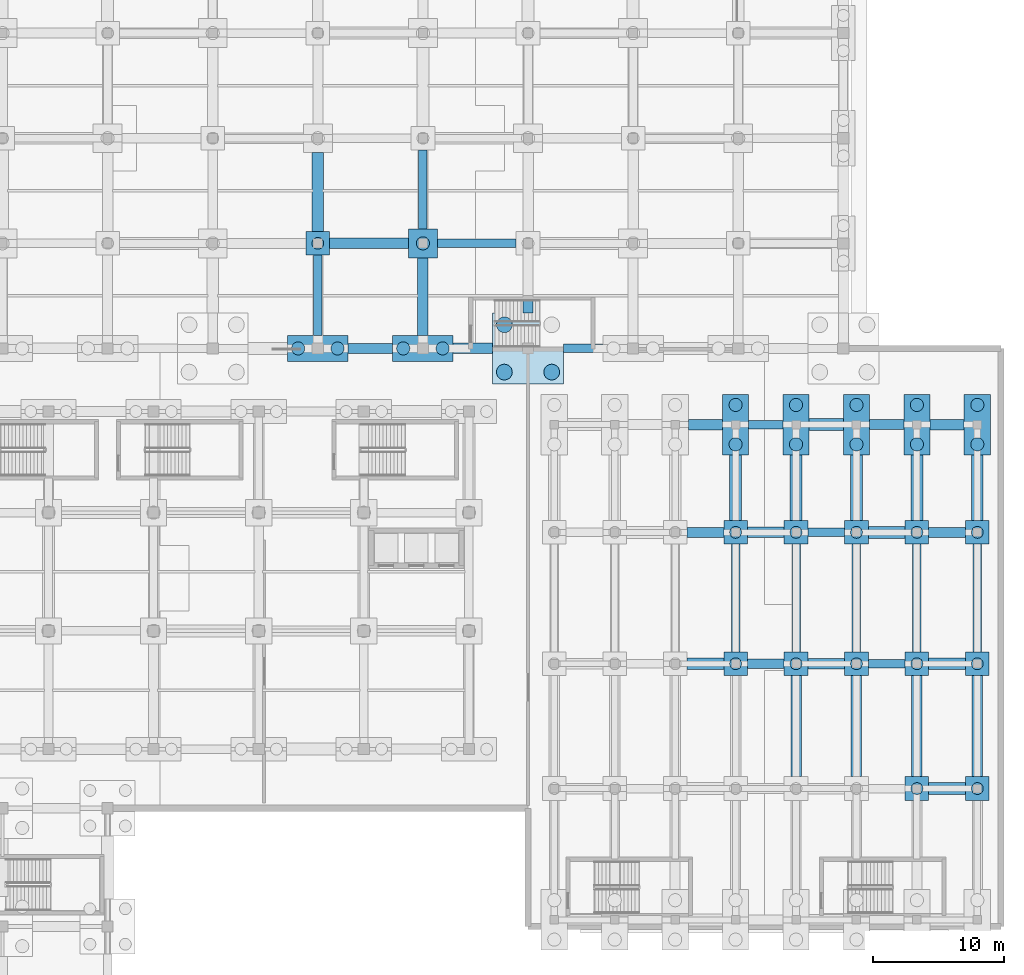
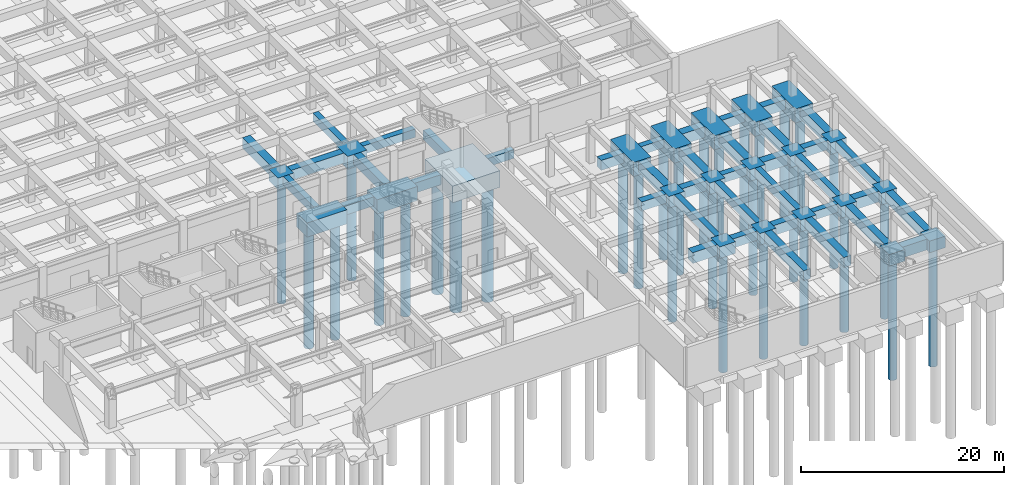
# One storey, part 13 of 48: 62 footings, 31 piles.
"""IFC4 building model written with IfcOpenShell, lengths in metres."""

from ifc_helpers import new_model, si_unit, direction, frame, origin, origin_2d, place, context, subcontext, project, spatial, polyline, rectangle, circle, outline, extrude, material, layer, layer_set, material_profile, profile_set, type_object, element, save


model = new_model("IFC4")

# Units and contexts
model_context = context("Model", 3, precision=1e-05, world=origin(), true_north=direction((0.0, 1.0)))
body_context = subcontext(model_context, "Body", "Model", "MODEL_VIEW")
ifc_project = project(units=[si_unit("LENGTHUNIT", "METRE"), si_unit("AREAUNIT", "SQUARE_METRE"), si_unit("VOLUMEUNIT", "CUBIC_METRE"), si_unit("PLANEANGLEUNIT", "RADIAN"), si_unit("MASSUNIT", "GRAM", prefix="KILO")], contexts=[model_context])

# Site, building, storey
site_placement = place(None, origin())
site = spatial("IfcSite", under=ifc_project, at=site_placement, CompositionType="ELEMENT")
building_placement = place(site_placement, origin())
building = spatial("IfcBuilding", under=site, at=building_placement, Name="Tlacozan Convention Centre", CompositionType="ELEMENT")
storey_placement = place(building_placement, frame((0.0, 0.0, -4.800048828125)))
storey = spatial("IfcBuildingStorey", under=building, at=storey_placement, Name="B01", CompositionType="ELEMENT", Elevation=-4.800048828125)

# Footings
ifc_material = material(Name="Concrete C35/45", Category="concrete")
ifc_layer_1 = layer(ifc_material, 1.0)
ifc_layer_set_1 = layer_set([ifc_layer_1], Name="Concrete C35/45")
footing_type_1 = type_object("IfcFootingType", Name="Foundation Tie Beam 650x1000", PredefinedType="FOOTING_BEAM", material=ifc_layer_set_1)
footing_1_placement = place(storey_placement, frame((0.0, 0.0, -1.0)))
element("IfcFooting", 1, at=footing_1_placement, inside=storey, type_object=footing_type_1, Name="Foundation Tie Beam X-81", PredefinedType="FOOTING_BEAM", context=body_context, shape_type="SweptSolid", body=[
    extrude(outline(polyline([(169.89990234375, 37.675048828125), (172.699951171875, 37.675048828125), (172.699951171875, 38.324951171875), (169.89990234375, 38.324951171875), (169.89990234375, 37.675048828125)])), origin(), (0.0, 0.0, 1.0), 1.0),
])
footing_2_placement = place(storey_placement, frame((0.0, 0.0, -1.0)))
element("IfcFooting", 2, at=footing_2_placement, inside=storey, type_object=footing_type_1, Name="Foundation Tie Beam X-97", PredefinedType="FOOTING_BEAM", context=body_context, shape_type="SweptSolid", body=[
    extrude(outline(polyline([(165.300048828125, 47.675048828125), (168.10009765625, 47.675048828125), (168.10009765625, 48.324951171875), (165.300048828125, 48.324951171875), (165.300048828125, 47.675048828125)])), origin(), (0.0, 0.0, 1.0), 1.0),
])
footing_3_placement = place(storey_placement, frame((0.0, 0.0, -1.0)))
element("IfcFooting", 3, at=footing_3_placement, inside=storey, type_object=footing_type_1, Name="Foundation Tie Beam X-113", PredefinedType="FOOTING_BEAM", context=body_context, shape_type="SweptSolid", body=[
    extrude(outline(polyline([(160.800048828125, 55.875), (163.39990234375, 55.875), (163.39990234375, 56.52490234375), (160.800048828125, 56.52490234375), (160.800048828125, 55.875)])), origin(), (0.0, 0.0, 1.0), 1.0),
])
footing_4_placement = place(storey_placement, frame((0.0, 0.0, -1.0)))
element("IfcFooting", 4, at=footing_4_placement, inside=storey, type_object=footing_type_1, Name="Foundation Tie Beam X-145", PredefinedType="FOOTING_BEAM", context=body_context, shape_type="SweptSolid", body=[
    extrude(outline(polyline([(146.699951171875, 61.675048828125), (149.699951171875, 61.675048828125), (149.699951171875, 62.324951171875), (146.699951171875, 62.324951171875), (146.699951171875, 61.675048828125)])), origin(), (0.0, 0.0, 1.0), 1.0),
])
footing_5_placement = place(storey_placement, frame((0.0, 0.0, -1.0)))
element("IfcFooting", 5, at=footing_5_placement, inside=storey, type_object=footing_type_1, Name="Foundation Tie Beam X-165", PredefinedType="FOOTING_BEAM", context=body_context, shape_type="SweptSolid", body=[
    extrude(outline(polyline([(137.10009765625, 69.675048828125), (143.10009765625, 69.675048828125), (143.10009765625, 70.324951171875), (137.10009765625, 70.324951171875), (137.10009765625, 69.675048828125)])), origin(), (0.0, 0.0, 1.0), 1.0),
])
footing_6_placement = place(storey_placement, frame((0.0, 0.0, -1.0)))
element("IfcFooting", 6, at=footing_6_placement, inside=storey, type_object=footing_type_1, Name="Foundation Tie Beam Y-517", PredefinedType="FOOTING_BEAM", context=body_context, shape_type="SweptSolid", body=[
    extrude(outline(polyline([(127.675048828125, 63.0), (128.324951171875, 63.0), (128.324951171875, 69.10009765625), (127.675048828125, 69.10009765625), (127.675048828125, 63.0)])), origin(), (0.0, 0.0, 1.0), 1.0),
])
footing_7_placement = place(storey_placement, frame((0.0, 0.0, -1.0)))
element("IfcFooting", 7, at=footing_7_placement, inside=storey, type_object=footing_type_1, Name="Foundation Tie Beam Y-529", PredefinedType="FOOTING_BEAM", context=body_context, shape_type="SweptSolid", body=[
    extrude(outline(polyline([(135.675048828125, 71.10009765625), (136.324951171875, 71.10009765625), (136.324951171875, 77.10009765625), (135.675048828125, 77.10009765625), (135.675048828125, 71.10009765625)])), origin(), (0.0, 0.0, 1.0), 1.0),
])
footing_8_placement = place(storey_placement, frame((0.0, 0.0, -1.0)))
element("IfcFooting", 8, at=footing_8_placement, inside=storey, type_object=footing_type_1, Name="Foundation Tie Beam Y-569", PredefinedType="FOOTING_BEAM", context=body_context, shape_type="SweptSolid", body=[
    extrude(outline(polyline([(159.47509765625, 38.89990234375), (160.125, 38.89990234375), (160.125, 47.10009765625), (159.47509765625, 47.10009765625), (159.47509765625, 38.89990234375)])), origin(), (0.0, 0.0, 1.0), 1.0),
])
footing_9_placement = place(storey_placement, frame((0.0, 0.0, -1.0)))
element("IfcFooting", 9, at=footing_9_placement, inside=storey, type_object=footing_type_1, Name="Foundation Tie Beam Y-581", PredefinedType="FOOTING_BEAM", context=body_context, shape_type="SweptSolid", body=[
    extrude(outline(polyline([(164.074951171875, 38.89990234375), (164.72509765625, 38.89990234375), (164.72509765625, 47.10009765625), (164.074951171875, 47.10009765625), (164.074951171875, 38.89990234375)])), origin(), (0.0, 0.0, 1.0), 1.0),
])
footing_10_placement = place(storey_placement, frame((0.0, 0.0, -1.0)))
element("IfcFooting", 10, at=footing_10_placement, inside=storey, type_object=footing_type_1, Name="Foundation Tie Beam Y-593", PredefinedType="FOOTING_BEAM", context=body_context, shape_type="SweptSolid", body=[
    extrude(outline(polyline([(168.675048828125, 38.89990234375), (169.324951171875, 38.89990234375), (169.324951171875, 47.10009765625), (168.675048828125, 47.10009765625), (168.675048828125, 38.89990234375)])), origin(), (0.0, 0.0, 1.0), 1.0),
])
footing_11_placement = place(storey_placement, frame((0.0, 0.0, -1.0)))
element("IfcFooting", 11, at=footing_11_placement, inside=storey, type_object=footing_type_1, Name="Foundation Tie Beam Y-597", PredefinedType="FOOTING_BEAM", context=body_context, shape_type="SweptSolid", body=[
    extrude(outline(polyline([(173.27490234375, 38.89990234375), (173.925048828125, 38.89990234375), (173.925048828125, 47.10009765625), (173.27490234375, 47.10009765625), (173.27490234375, 38.89990234375)])), origin(), (0.0, 0.0, 1.0), 1.0),
])
footing_12_placement = place(storey_placement, frame((0.0, 0.0, -1.0)))
element("IfcFooting", 12, at=footing_12_placement, inside=storey, type_object=footing_type_1, Name="Foundation Tie Beam Y-601", PredefinedType="FOOTING_BEAM", context=body_context, shape_type="SweptSolid", body=[
    extrude(outline(polyline([(177.875, 38.89990234375), (178.52490234375, 38.89990234375), (178.52490234375, 47.10009765625), (177.875, 47.10009765625), (177.875, 38.89990234375)])), origin(), (0.0, 0.0, 1.0), 1.0),
])
ifc_layer_2 = layer(ifc_material, 1.10009765625)
ifc_layer_set_2 = layer_set([ifc_layer_2], Name="Concrete C35/45")
footing_type_2 = type_object("IfcFootingType", Name="Foundation Tie Beam 750x1100", PredefinedType="FOOTING_BEAM", material=ifc_layer_set_2)
footing_13_placement = place(storey_placement, frame((0.0, 0.0, -1.099853515625)))
element("IfcFooting", 13, at=footing_13_placement, inside=storey, type_object=footing_type_2, Name="Foundation Tie Beam X-79", PredefinedType="FOOTING_BEAM", context=body_context, shape_type="SweptSolid", body=[
    extrude(outline(polyline([(160.699951171875, 37.625), (163.5, 37.625), (163.5, 38.375), (160.699951171875, 38.375), (160.699951171875, 37.625)])), origin(), (0.0, 0.0, 1.0), 1.099853515625),
])
footing_14_placement = place(storey_placement, frame((0.0, 0.0, -1.099853515625)))
element("IfcFooting", 14, at=footing_14_placement, inside=storey, type_object=footing_type_2, Name="Foundation Tie Beam X-95", PredefinedType="FOOTING_BEAM", context=body_context, shape_type="SweptSolid", body=[
    extrude(outline(polyline([(156.10009765625, 47.625), (158.89990234375, 47.625), (158.89990234375, 48.375), (156.10009765625, 48.375), (156.10009765625, 47.625)])), origin(), (0.0, 0.0, 1.0), 1.099853515625),
])
footing_15_placement = place(storey_placement, frame((0.0, 0.0, -1.099853515625)))
element("IfcFooting", 15, at=footing_15_placement, inside=storey, type_object=footing_type_2, Name="Foundation Tie Beam X-99", PredefinedType="FOOTING_BEAM", context=body_context, shape_type="SweptSolid", body=[
    extrude(outline(polyline([(174.5, 47.625), (177.300048828125, 47.625), (177.300048828125, 48.375), (174.5, 48.375), (174.5, 47.625)])), origin(), (0.0, 0.0, 1.0), 1.099853515625),
])
footing_16_placement = place(storey_placement, frame((0.0, 0.0, -1.099853515625)))
element("IfcFooting", 16, at=footing_16_placement, inside=storey, type_object=footing_type_2, Name="Foundation Tie Beam X-115", PredefinedType="FOOTING_BEAM", context=body_context, shape_type="SweptSolid", body=[
    extrude(outline(polyline([(170.0, 55.824951171875), (172.60009765625, 55.824951171875), (172.60009765625, 56.574951171875), (170.0, 56.574951171875), (170.0, 55.824951171875)])), origin(), (0.0, 0.0, 1.0), 1.099853515625),
])
footing_17_placement = place(storey_placement, frame((0.0, 0.0, -1.099853515625)))
element("IfcFooting", 17, at=footing_17_placement, inside=storey, type_object=footing_type_2, Name="Foundation Tie Beam X-143", PredefinedType="FOOTING_BEAM", context=body_context, shape_type="SweptSolid", body=[
    extrude(outline(polyline([(130.300048828125, 61.625), (133.699951171875, 61.625), (133.699951171875, 62.375), (130.300048828125, 62.375), (130.300048828125, 61.625)])), origin(), (0.0, 0.0, 1.0), 1.099853515625),
])
footing_18_placement = place(storey_placement, frame((0.0, 0.0, -1.099853515625)))
element("IfcFooting", 18, at=footing_18_placement, inside=storey, type_object=footing_type_2, Name="Foundation Tie Beam Y-539", PredefinedType="FOOTING_BEAM", context=body_context, shape_type="SweptSolid", body=[
    extrude(outline(polyline([(143.625, 64.699951171875), (144.375, 64.699951171875), (144.375, 69.10009765625), (143.625, 69.10009765625), (143.625, 64.699951171875)])), origin(), (0.0, 0.0, 1.0), 1.099853515625),
])
ifc_layer_3 = layer(ifc_material, 1.199951171875)
ifc_layer_set_3 = layer_set([ifc_layer_3], Name="Concrete C35/45")
footing_type_3 = type_object("IfcFootingType", Name="Foundation Tie Beam 800x1200", PredefinedType="FOOTING_BEAM", material=ifc_layer_set_3)
footing_19_placement = place(storey_placement, frame((0.0, 0.0, -1.199951171875)))
element("IfcFooting", 19, at=footing_19_placement, inside=storey, type_object=footing_type_3, Name="Foundation Tie Beam X-80", PredefinedType="FOOTING_BEAM", context=body_context, shape_type="SweptSolid", body=[
    extrude(outline(polyline([(165.300048828125, 37.60009765625), (168.10009765625, 37.60009765625), (168.10009765625, 38.39990234375), (165.300048828125, 38.39990234375), (165.300048828125, 37.60009765625)])), origin(), (0.0, 0.0, 1.0), 1.199951171875),
])
footing_20_placement = place(storey_placement, frame((0.0, 0.0, -1.199951171875)))
element("IfcFooting", 20, at=footing_20_placement, inside=storey, type_object=footing_type_3, Name="Foundation Tie Beam X-96", PredefinedType="FOOTING_BEAM", context=body_context, shape_type="SweptSolid", body=[
    extrude(outline(polyline([(160.699951171875, 47.60009765625), (163.5, 47.60009765625), (163.5, 48.39990234375), (160.699951171875, 48.39990234375), (160.699951171875, 47.60009765625)])), origin(), (0.0, 0.0, 1.0), 1.199951171875),
])
footing_21_placement = place(storey_placement, frame((0.0, 0.0, -1.199951171875)))
element("IfcFooting", 21, at=footing_21_placement, inside=storey, type_object=footing_type_3, Name="Foundation Tie Beam X-112", PredefinedType="FOOTING_BEAM", context=body_context, shape_type="SweptSolid", body=[
    extrude(outline(polyline([(156.199951171875, 55.800048828125), (158.800048828125, 55.800048828125), (158.800048828125, 56.60009765625), (156.199951171875, 56.60009765625), (156.199951171875, 55.800048828125)])), origin(), (0.0, 0.0, 1.0), 1.199951171875),
])
footing_22_placement = place(storey_placement, frame((0.0, 0.0, -1.199951171875)))
element("IfcFooting", 22, at=footing_22_placement, inside=storey, type_object=footing_type_3, Name="Foundation Tie Beam X-116", PredefinedType="FOOTING_BEAM", context=body_context, shape_type="SweptSolid", body=[
    extrude(outline(polyline([(174.60009765625, 55.800048828125), (177.199951171875, 55.800048828125), (177.199951171875, 56.60009765625), (174.60009765625, 56.60009765625), (174.60009765625, 55.800048828125)])), origin(), (0.0, 0.0, 1.0), 1.199951171875),
])
footing_23_placement = place(storey_placement, frame((0.0, 0.0, -1.199951171875)))
element("IfcFooting", 23, at=footing_23_placement, inside=storey, type_object=footing_type_3, Name="Foundation Tie Beam X-144", PredefinedType="FOOTING_BEAM", context=body_context, shape_type="SweptSolid", body=[
    extrude(outline(polyline([(138.300048828125, 61.60009765625), (141.300048828125, 61.60009765625), (141.300048828125, 62.39990234375), (138.300048828125, 62.39990234375), (138.300048828125, 61.60009765625)])), origin(), (0.0, 0.0, 1.0), 1.199951171875),
])
footing_24_placement = place(storey_placement, frame((0.0, 0.0, -1.199951171875)))
element("IfcFooting", 24, at=footing_24_placement, inside=storey, type_object=footing_type_3, Name="Foundation Tie Beam X-164", PredefinedType="FOOTING_BEAM", context=body_context, shape_type="SweptSolid", body=[
    extrude(outline(polyline([(128.89990234375, 69.60009765625), (134.89990234375, 69.60009765625), (134.89990234375, 70.39990234375), (128.89990234375, 70.39990234375), (128.89990234375, 69.60009765625)])), origin(), (0.0, 0.0, 1.0), 1.199951171875),
])
footing_25_placement = place(storey_placement, frame((0.0, 0.0, -1.199951171875)))
element("IfcFooting", 25, at=footing_25_placement, inside=storey, type_object=footing_type_3, Name="Foundation Tie Beam Y-528", PredefinedType="FOOTING_BEAM", context=body_context, shape_type="SweptSolid", body=[
    extrude(outline(polyline([(135.60009765625, 63.0), (136.39990234375, 63.0), (136.39990234375, 68.89990234375), (135.60009765625, 68.89990234375), (135.60009765625, 63.0)])), origin(), (0.0, 0.0, 1.0), 1.199951171875),
])
footing_26_placement = place(storey_placement, frame((0.0, 0.0, -1.199951171875)))
element("IfcFooting", 26, at=footing_26_placement, inside=storey, type_object=footing_type_3, Name="Foundation Tie Beam Y-580", PredefinedType="FOOTING_BEAM", context=body_context, shape_type="SweptSolid", body=[
    extrude(outline(polyline([(164.0, 29.39990234375), (164.800048828125, 29.39990234375), (164.800048828125, 37.10009765625), (164.0, 37.10009765625), (164.0, 29.39990234375)])), origin(), (0.0, 0.0, 1.0), 1.199951171875),
])
footing_27_placement = place(storey_placement, frame((0.0, 0.0, -1.199951171875)))
element("IfcFooting", 27, at=footing_27_placement, inside=storey, type_object=footing_type_3, Name="Foundation Tie Beam Y-592", PredefinedType="FOOTING_BEAM", context=body_context, shape_type="SweptSolid", body=[
    extrude(outline(polyline([(168.60009765625, 29.39990234375), (169.39990234375, 29.39990234375), (169.39990234375, 37.10009765625), (168.60009765625, 37.10009765625), (168.60009765625, 29.39990234375)])), origin(), (0.0, 0.0, 1.0), 1.199951171875),
])
footing_28_placement = place(storey_placement, frame((0.0, 0.0, -1.199951171875)))
element("IfcFooting", 28, at=footing_28_placement, inside=storey, type_object=footing_type_3, Name="Foundation Tie Beam Y-596", PredefinedType="FOOTING_BEAM", context=body_context, shape_type="SweptSolid", body=[
    extrude(outline(polyline([(173.199951171875, 29.39990234375), (174.0, 29.39990234375), (174.0, 37.10009765625), (173.199951171875, 37.10009765625), (173.199951171875, 29.39990234375)])), origin(), (0.0, 0.0, 1.0), 1.199951171875),
])
footing_29_placement = place(storey_placement, frame((0.0, 0.0, -1.199951171875)))
element("IfcFooting", 29, at=footing_29_placement, inside=storey, type_object=footing_type_3, Name="Foundation Tie Beam Y-600", PredefinedType="FOOTING_BEAM", context=body_context, shape_type="SweptSolid", body=[
    extrude(outline(polyline([(177.800048828125, 29.39990234375), (178.60009765625, 29.39990234375), (178.60009765625, 37.10009765625), (177.800048828125, 37.10009765625), (177.800048828125, 29.39990234375)])), origin(), (0.0, 0.0, 1.0), 1.199951171875),
])
ifc_layer_4 = layer(ifc_material, 1.300048828125)
ifc_layer_set_4 = layer_set([ifc_layer_4], Name="Concrete C35/45")
footing_type_4 = type_object("IfcFootingType", Name="Foundation Tie Beam 900x1300", PredefinedType="FOOTING_BEAM", material=ifc_layer_set_4)
footing_30_placement = place(storey_placement, frame((0.0, 0.0, -1.300048828125)))
element("IfcFooting", 30, at=footing_30_placement, inside=storey, type_object=footing_type_4, Name="Foundation Tie Beam X-66", PredefinedType="FOOTING_BEAM", context=body_context, shape_type="SweptSolid", body=[
    extrude(outline(polyline([(174.5, 28.050048828125), (177.300048828125, 28.050048828125), (177.300048828125, 28.949951171875), (174.5, 28.949951171875), (174.5, 28.050048828125)])), origin(), (0.0, 0.0, 1.0), 1.300048828125),
])
footing_31_placement = place(storey_placement, frame((0.0, 0.0, -1.300048828125)))
element("IfcFooting", 31, at=footing_31_placement, inside=storey, type_object=footing_type_4, Name="Foundation Tie Beam X-78", PredefinedType="FOOTING_BEAM", context=body_context, shape_type="SweptSolid", body=[
    extrude(outline(polyline([(156.10009765625, 37.550048828125), (158.89990234375, 37.550048828125), (158.89990234375, 38.449951171875), (156.10009765625, 38.449951171875), (156.10009765625, 37.550048828125)])), origin(), (0.0, 0.0, 1.0), 1.300048828125),
])
footing_32_placement = place(storey_placement, frame((0.0, 0.0, -1.300048828125)))
element("IfcFooting", 32, at=footing_32_placement, inside=storey, type_object=footing_type_4, Name="Foundation Tie Beam X-82", PredefinedType="FOOTING_BEAM", context=body_context, shape_type="SweptSolid", body=[
    extrude(outline(polyline([(174.5, 37.550048828125), (177.300048828125, 37.550048828125), (177.300048828125, 38.449951171875), (174.5, 38.449951171875), (174.5, 37.550048828125)])), origin(), (0.0, 0.0, 1.0), 1.300048828125),
])
footing_33_placement = place(storey_placement, frame((0.0, 0.0, -1.300048828125)))
element("IfcFooting", 33, at=footing_33_placement, inside=storey, type_object=footing_type_4, Name="Foundation Tie Beam X-98", PredefinedType="FOOTING_BEAM", context=body_context, shape_type="SweptSolid", body=[
    extrude(outline(polyline([(169.89990234375, 47.550048828125), (172.699951171875, 47.550048828125), (172.699951171875, 48.449951171875), (169.89990234375, 48.449951171875), (169.89990234375, 47.550048828125)])), origin(), (0.0, 0.0, 1.0), 1.300048828125),
])
footing_34_placement = place(storey_placement, frame((0.0, 0.0, -1.300048828125)))
element("IfcFooting", 34, at=footing_34_placement, inside=storey, type_object=footing_type_4, Name="Foundation Tie Beam X-114", PredefinedType="FOOTING_BEAM", context=body_context, shape_type="SweptSolid", body=[
    extrude(outline(polyline([(165.39990234375, 55.75), (168.0, 55.75), (168.0, 56.64990234375), (165.39990234375, 56.64990234375), (165.39990234375, 55.75)])), origin(), (0.0, 0.0, 1.0), 1.300048828125),
])
footing_35_placement = place(storey_placement, frame((0.0, 0.0, -1.300048828125)))
element("IfcFooting", 35, at=footing_35_placement, inside=storey, type_object=footing_type_4, Name="Foundation Tie Beam Y-518", PredefinedType="FOOTING_BEAM", context=body_context, shape_type="SweptSolid", body=[
    extrude(outline(polyline([(127.550048828125, 70.89990234375), (128.449951171875, 70.89990234375), (128.449951171875, 76.89990234375), (127.550048828125, 76.89990234375), (127.550048828125, 70.89990234375)])), origin(), (0.0, 0.0, 1.0), 1.300048828125),
])
footing_36_placement = place(storey_placement, frame((0.0, 0.0, -1.300048828125)))
element("IfcFooting", 36, at=footing_36_placement, inside=storey, type_object=footing_type_4, Name="Foundation Tie Beam Y-570", PredefinedType="FOOTING_BEAM", context=body_context, shape_type="SweptSolid", body=[
    extrude(outline(polyline([(159.35009765625, 48.89990234375), (160.25, 48.89990234375), (160.25, 53.89990234375), (159.35009765625, 53.89990234375), (159.35009765625, 48.89990234375)])), origin(), (0.0, 0.0, 1.0), 1.300048828125),
])
footing_37_placement = place(storey_placement, frame((0.0, 0.0, -1.300048828125)))
element("IfcFooting", 37, at=footing_37_placement, inside=storey, type_object=footing_type_4, Name="Foundation Tie Beam Y-582", PredefinedType="FOOTING_BEAM", context=body_context, shape_type="SweptSolid", body=[
    extrude(outline(polyline([(163.949951171875, 48.89990234375), (164.85009765625, 48.89990234375), (164.85009765625, 53.89990234375), (163.949951171875, 53.89990234375), (163.949951171875, 48.89990234375)])), origin(), (0.0, 0.0, 1.0), 1.300048828125),
])
footing_38_placement = place(storey_placement, frame((0.0, 0.0, -1.300048828125)))
element("IfcFooting", 38, at=footing_38_placement, inside=storey, type_object=footing_type_4, Name="Foundation Tie Beam Y-594", PredefinedType="FOOTING_BEAM", context=body_context, shape_type="SweptSolid", body=[
    extrude(outline(polyline([(168.550048828125, 48.89990234375), (169.449951171875, 48.89990234375), (169.449951171875, 53.89990234375), (168.550048828125, 53.89990234375), (168.550048828125, 48.89990234375)])), origin(), (0.0, 0.0, 1.0), 1.300048828125),
])
footing_39_placement = place(storey_placement, frame((0.0, 0.0, -1.300048828125)))
element("IfcFooting", 39, at=footing_39_placement, inside=storey, type_object=footing_type_4, Name="Foundation Tie Beam Y-598", PredefinedType="FOOTING_BEAM", context=body_context, shape_type="SweptSolid", body=[
    extrude(outline(polyline([(173.14990234375, 48.89990234375), (174.050048828125, 48.89990234375), (174.050048828125, 53.89990234375), (173.14990234375, 53.89990234375), (173.14990234375, 48.89990234375)])), origin(), (0.0, 0.0, 1.0), 1.300048828125),
])
footing_40_placement = place(storey_placement, frame((0.0, 0.0, -1.300048828125)))
element("IfcFooting", 40, at=footing_40_placement, inside=storey, type_object=footing_type_4, Name="Foundation Tie Beam Y-602", PredefinedType="FOOTING_BEAM", context=body_context, shape_type="SweptSolid", body=[
    extrude(outline(polyline([(177.75, 48.89990234375), (178.64990234375, 48.89990234375), (178.64990234375, 53.89990234375), (177.75, 53.89990234375), (177.75, 48.89990234375)])), origin(), (0.0, 0.0, 1.0), 1.300048828125),
])
ifc_layer_5 = layer(ifc_material, 1.39990234375)
ifc_layer_set_5 = layer_set([ifc_layer_5], Name="Concrete C35/45")
footing_type_5 = type_object("IfcFootingType", Name="Pile Cap 1P 1800x1800x1400", PredefinedType="PILE_CAP", material=ifc_layer_set_5)
for number, where, z_axis, x_axis, name in (
    (41, (128.0, 70.0, -1.39990234375), (0.0, 0.0, 1.0), (1.0, 0.0, 0.0), "Pile Cap PC-01 (241)"),
    (42, (159.800048828125, 38.0, -1.39990234375), (0.0, 0.0, 1.0), (1.0, 0.0, 0.0), "Pile Cap PC-01 (301)"),
    (43, (159.800048828125, 48.0, -1.39990234375), (0.0, 0.0, 1.0), (1.0, 0.0, 0.0), "Pile Cap PC-01 (302)"),
    (44, (164.39990234375, 38.0, -1.39990234375), (0.0, 0.0, 1.0), (1.0, 0.0, 0.0), "Pile Cap PC-01 (315)"),
    (45, (164.39990234375, 48.0, -1.39990234375), (0.0, 0.0, 1.0), (1.0, 0.0, 0.0), "Pile Cap PC-01 (316)"),
    (46, (169.0, 38.0, -1.39990234375), (0.0, 0.0, 1.0), (1.0, 0.0, 0.0), "Pile Cap PC-01 (329)"),
    (47, (169.0, 48.0, -1.39990234375), (0.0, 0.0, 1.0), (1.0, 0.0, 0.0), "Pile Cap PC-01 (330)"),
    (48, (173.60009765625, 28.5, -1.39990234375), (0.0, 0.0, 1.0), (1.0, 0.0, 0.0), "Pile Cap PC-01 (333)"),
    (49, (173.60009765625, 38.0, -1.39990234375), (0.0, 0.0, 1.0), (1.0, 0.0, 0.0), "Pile Cap PC-01 (334)"),
    (50, (173.60009765625, 48.0, -1.39990234375), (0.0, 0.0, 1.0), (1.0, 0.0, 0.0), "Pile Cap PC-01 (335)"),
    (51, (178.199951171875, 28.5, -1.39990234375), (0.0, 0.0, 1.0), (1.0, 0.0, 0.0), "Pile Cap PC-01 (338)"),
    (52, (178.199951171875, 38.0, -1.39990234375), (0.0, 0.0, 1.0), (1.0, 0.0, 0.0), "Pile Cap PC-01 (339)"),
    (53, (178.199951171875, 48.0, -1.39990234375), (0.0, 0.0, 1.0), (1.0, 0.0, 0.0), "Pile Cap PC-01 (340)"),
):
    element("IfcFooting", number, at=place(storey_placement, frame(where, z_axis=z_axis, x_axis=x_axis)), inside=storey, type_object=footing_type_5, Name=name, PredefinedType="PILE_CAP", context=body_context, shape_type="SweptSolid", body=[
        extrude(rectangle(XDim=1.800048828125, YDim=1.800048828125, at=origin_2d()), origin(), (0.0, 0.0, 1.0), 1.39990234375),
    ])
ifc_layer_6 = layer(ifc_material, 1.550048828125)
ifc_layer_set_6 = layer_set([ifc_layer_6], Name="Concrete C35/45")
footing_type_6 = type_object("IfcFootingType", Name="Pile Cap 1P 2200x2200x1550", PredefinedType="PILE_CAP", material=ifc_layer_set_6)
footing_41_placement = place(storey_placement, frame((136.0, 70.0, -1.5498046875), z_axis=(0.0, 0.0, 1.0), x_axis=(1.0, 0.0, 0.0)))
element("IfcFooting", 54, at=footing_41_placement, inside=storey, type_object=footing_type_6, Name="Pile Cap PC-09 (254)", PredefinedType="PILE_CAP", context=body_context, shape_type="SweptSolid", body=[
    extrude(rectangle(XDim=2.199951171875, YDim=2.199951171875, at=origin_2d()), origin(), (0.0, 0.0, 1.0), 1.550048828125),
])
ifc_layer_7 = layer(ifc_material, 1.699951171875)
ifc_layer_set_7 = layer_set([ifc_layer_7], Name="Concrete C35/45")
footing_type_7 = type_object("IfcFootingType", Name="Pile Cap 2P 2000x4600x1700", PredefinedType="PILE_CAP", material=ifc_layer_set_7)
for number, where, z_axis, x_axis, name in (
    (55, (159.800048828125, 56.199951171875, -1.69970703125), (0.0, 0.0, 1.0), (1.0, 0.0, 0.0), "Pile Cap PC-10 (303)"),
    (56, (164.39990234375, 56.199951171875, -1.69970703125), (0.0, 0.0, 1.0), (1.0, 0.0, 0.0), "Pile Cap PC-10 (317)"),
    (57, (169.0, 56.199951171875, -1.69970703125), (0.0, 0.0, 1.0), (1.0, 0.0, 0.0), "Pile Cap PC-10 (331)"),
    (58, (173.60009765625, 56.199951171875, -1.69970703125), (0.0, 0.0, 1.0), (1.0, 0.0, 0.0), "Pile Cap PC-10 (336)"),
    (59, (178.199951171875, 56.199951171875, -1.69970703125), (0.0, 0.0, 1.0), (1.0, 0.0, 0.0), "Pile Cap PC-10 (341)"),
):
    element("IfcFooting", number, at=place(storey_placement, frame(where, z_axis=z_axis, x_axis=x_axis)), inside=storey, type_object=footing_type_7, Name=name, PredefinedType="PILE_CAP", context=body_context, shape_type="SweptSolid", body=[
        extrude(rectangle(XDim=2.0, YDim=4.60009765625, at=origin_2d()), origin(), (0.0, 0.0, 1.0), 1.699951171875),
    ])
ifc_layer_8 = layer(ifc_material, 1.699951171875)
ifc_layer_set_8 = layer_set([ifc_layer_8], Name="Concrete C35/45")
footing_type_8 = type_object("IfcFootingType", Name="Pile Cap 2P 4600x2000x1700", PredefinedType="PILE_CAP", material=ifc_layer_set_8)
for number, where, z_axis, x_axis, name in (
    (60, (128.0, 62.0, -1.69970703125), (0.0, 0.0, 1.0), (1.0, 0.0, 0.0), "Pile Cap PC-05 (240)"),
    (61, (136.0, 62.0, -1.69970703125), (0.0, 0.0, 1.0), (1.0, 0.0, 0.0), "Pile Cap PC-05 (253)"),
):
    element("IfcFooting", number, at=place(storey_placement, frame(where, z_axis=z_axis, x_axis=x_axis)), inside=storey, type_object=footing_type_8, Name=name, PredefinedType="PILE_CAP", context=body_context, shape_type="SweptSolid", body=[
        extrude(rectangle(XDim=4.60009765625, YDim=2.0, at=origin_2d()), origin(), (0.0, 0.0, 1.0), 1.699951171875),
    ])
ifc_layer_9 = layer(ifc_material, 2.0)
ifc_layer_set_9 = layer_set([ifc_layer_9], Name="Concrete C35/45")
footing_type_9 = type_object("IfcFootingType", Name="Pile Cap 4P 5400x5400x2000", PredefinedType="PILE_CAP", material=ifc_layer_set_9)
footing_42_placement = place(storey_placement, frame((144.0, 62.0, -2.0), z_axis=(0.0, 0.0, 1.0), x_axis=(1.0, 0.0, 0.0)))
element("IfcFooting", 62, at=footing_42_placement, inside=storey, type_object=footing_type_9, Name="Pile Cap PC-08 (266)", PredefinedType="PILE_CAP", context=body_context, shape_type="SweptSolid", body=[
    extrude(rectangle(XDim=5.39990234375, YDim=5.39990234375, at=origin_2d()), origin(), (0.0, 0.0, 1.0), 2.0),
])

# Piles
ifc_material_profile_1 = material_profile(ifc_material, circle(Radius=0.5, at=origin_2d()), Name="PILE D1000")
ifc_profile_set_1 = profile_set([ifc_material_profile_1], Name="Concrete C35/45")
pile_type_1 = type_object("IfcPileType", Name="Pile D1000 Bored", PredefinedType="BORED", material=ifc_profile_set_1)
for number, where, z_axis, x_axis, name in (
    (63, (126.5, 62.0, -1.579833984375), (0.0, 0.0, -1.0), (1.0, 0.0, 0.0), "Bored Pile 461"),
    (64, (129.5, 62.0, -1.579833984375), (0.0, 0.0, -1.0), (1.0, 0.0, 0.0), "Bored Pile 462"),
    (65, (134.5, 62.0, -1.579833984375), (0.0, 0.0, -1.0), (1.0, 0.0, 0.0), "Bored Pile 478"),
    (66, (137.5, 62.0, -1.579833984375), (0.0, 0.0, -1.0), (1.0, 0.0, 0.0), "Bored Pile 479"),
):
    element("IfcPile", number, at=place(storey_placement, frame(where, z_axis=z_axis, x_axis=x_axis)), inside=storey, type_object=pile_type_1, Name=name, PredefinedType="BORED", context=body_context, shape_type="SweptSolid", body=[
        extrude(circle(Radius=0.5, at=origin_2d()), origin(), (0.0, 0.0, 1.0), 14.1201171875),
    ])
pile_placement = place(storey_placement, frame((136.0, 70.0, -1.429931640625), z_axis=(0.0, 0.0, -1.0), x_axis=(1.0, 0.0, 0.0)))
element("IfcPile", 67, at=pile_placement, inside=storey, type_object=pile_type_1, Name="Bored Pile 480", PredefinedType="BORED", context=body_context, shape_type="SweptSolid", body=[
    extrude(circle(Radius=0.5, at=origin_2d()), origin(), (0.0, 0.0, 1.0), 14.27001953125),
])
for number, where, z_axis, x_axis, name in (
    (68, (159.800048828125, 54.699951171875, -1.579833984375), (0.0, 0.0, -1.0), (1.0, 0.0, 0.0), "Bored Pile 547"),
    (69, (159.800048828125, 57.699951171875, -1.579833984375), (0.0, 0.0, -1.0), (1.0, 0.0, 0.0), "Bored Pile 548"),
    (70, (164.39990234375, 54.699951171875, -1.579833984375), (0.0, 0.0, -1.0), (1.0, 0.0, 0.0), "Bored Pile 565"),
    (71, (164.39990234375, 57.699951171875, -1.579833984375), (0.0, 0.0, -1.0), (1.0, 0.0, 0.0), "Bored Pile 566"),
    (72, (169.0, 54.699951171875, -1.579833984375), (0.0, 0.0, -1.0), (1.0, 0.0, 0.0), "Bored Pile 594"),
    (73, (169.0, 57.699951171875, -1.579833984375), (0.0, 0.0, -1.0), (1.0, 0.0, 0.0), "Bored Pile 595"),
    (74, (173.60009765625, 54.699951171875, -1.579833984375), (0.0, 0.0, -1.0), (1.0, 0.0, 0.0), "Bored Pile 601"),
    (75, (173.60009765625, 57.699951171875, -1.579833984375), (0.0, 0.0, -1.0), (1.0, 0.0, 0.0), "Bored Pile 602"),
    (76, (178.199951171875, 54.699951171875, -1.579833984375), (0.0, 0.0, -1.0), (1.0, 0.0, 0.0), "Bored Pile 608"),
    (77, (178.199951171875, 57.699951171875, -1.579833984375), (0.0, 0.0, -1.0), (1.0, 0.0, 0.0), "Bored Pile 609"),
):
    element("IfcPile", number, at=place(storey_placement, frame(where, z_axis=z_axis, x_axis=x_axis)), inside=storey, type_object=pile_type_1, Name=name, PredefinedType="BORED", context=body_context, shape_type="SweptSolid", body=[
        extrude(circle(Radius=0.5, at=origin_2d()), origin(), (0.0, 0.0, 1.0), 14.1201171875),
    ])
ifc_material_profile_2 = material_profile(ifc_material, circle(Radius=0.60009765625, at=origin_2d()), Name="PILE D1200")
ifc_profile_set_2 = profile_set([ifc_material_profile_2], Name="Concrete C35/45")
pile_type_2 = type_object("IfcPileType", Name="Pile D1200 Bored", PredefinedType="BORED", material=ifc_profile_set_2)
for number, where, z_axis, x_axis, name in (
    (78, (142.199951171875, 60.199951171875, -1.8798828125), (0.0, 0.0, -1.0), (1.0, 0.0, 0.0), "Bored Pile 495"),
    (79, (145.800048828125, 60.199951171875, -1.8798828125), (0.0, 0.0, -1.0), (1.0, 0.0, 0.0), "Bored Pile 496"),
    (80, (142.199951171875, 63.800048828125, -1.8798828125), (0.0, 0.0, -1.0), (1.0, 0.0, 0.0), "Bored Pile 497"),
):
    element("IfcPile", number, at=place(storey_placement, frame(where, z_axis=z_axis, x_axis=x_axis)), inside=storey, type_object=pile_type_2, Name=name, PredefinedType="BORED", context=body_context, shape_type="SweptSolid", body=[
        extrude(circle(Radius=0.60009765625, at=origin_2d()), origin(), (0.0, 0.0, 1.0), 13.820068359375),
    ])
ifc_material_profile_3 = material_profile(ifc_material, circle(Radius=0.449951171875, at=origin_2d()), Name="PILE D900")
ifc_profile_set_3 = profile_set([ifc_material_profile_3], Name="Concrete C35/45")
pile_type_3 = type_object("IfcPileType", Name="Pile D900 Bored", PredefinedType="BORED", material=ifc_profile_set_3)
for number, where, z_axis, x_axis, name in (
    (81, (128.0, 70.0, -1.280029296875), (0.0, 0.0, -1.0), (1.0, 0.0, 0.0), "Bored Pile 463"),
    (82, (159.800048828125, 38.0, -1.280029296875), (0.0, 0.0, -1.0), (1.0, 0.0, 0.0), "Bored Pile 545"),
    (83, (159.800048828125, 48.0, -1.280029296875), (0.0, 0.0, -1.0), (1.0, 0.0, 0.0), "Bored Pile 546"),
    (84, (164.39990234375, 38.0, -1.280029296875), (0.0, 0.0, -1.0), (1.0, 0.0, 0.0), "Bored Pile 563"),
    (85, (164.39990234375, 48.0, -1.280029296875), (0.0, 0.0, -1.0), (1.0, 0.0, 0.0), "Bored Pile 564"),
    (86, (169.0, 38.0, -1.280029296875), (0.0, 0.0, -1.0), (1.0, 0.0, 0.0), "Bored Pile 592"),
    (87, (169.0, 48.0, -1.280029296875), (0.0, 0.0, -1.0), (1.0, 0.0, 0.0), "Bored Pile 593"),
    (88, (173.60009765625, 28.5, -1.280029296875), (0.0, 0.0, -1.0), (1.0, 0.0, 0.0), "Bored Pile 598"),
    (89, (173.60009765625, 38.0, -1.280029296875), (0.0, 0.0, -1.0), (1.0, 0.0, 0.0), "Bored Pile 599"),
    (90, (173.60009765625, 48.0, -1.280029296875), (0.0, 0.0, -1.0), (1.0, 0.0, 0.0), "Bored Pile 600"),
    (91, (178.199951171875, 28.5, -1.280029296875), (0.0, 0.0, -1.0), (1.0, 0.0, 0.0), "Bored Pile 605"),
    (92, (178.199951171875, 38.0, -1.280029296875), (0.0, 0.0, -1.0), (1.0, 0.0, 0.0), "Bored Pile 606"),
    (93, (178.199951171875, 48.0, -1.280029296875), (0.0, 0.0, -1.0), (1.0, 0.0, 0.0), "Bored Pile 607"),
):
    element("IfcPile", number, at=place(storey_placement, frame(where, z_axis=z_axis, x_axis=x_axis)), inside=storey, type_object=pile_type_3, Name=name, PredefinedType="BORED", context=body_context, shape_type="SweptSolid", body=[
        extrude(circle(Radius=0.449951171875, at=origin_2d()), origin(), (0.0, 0.0, 1.0), 14.419921875),
    ])

save(model, "model.ifc")
